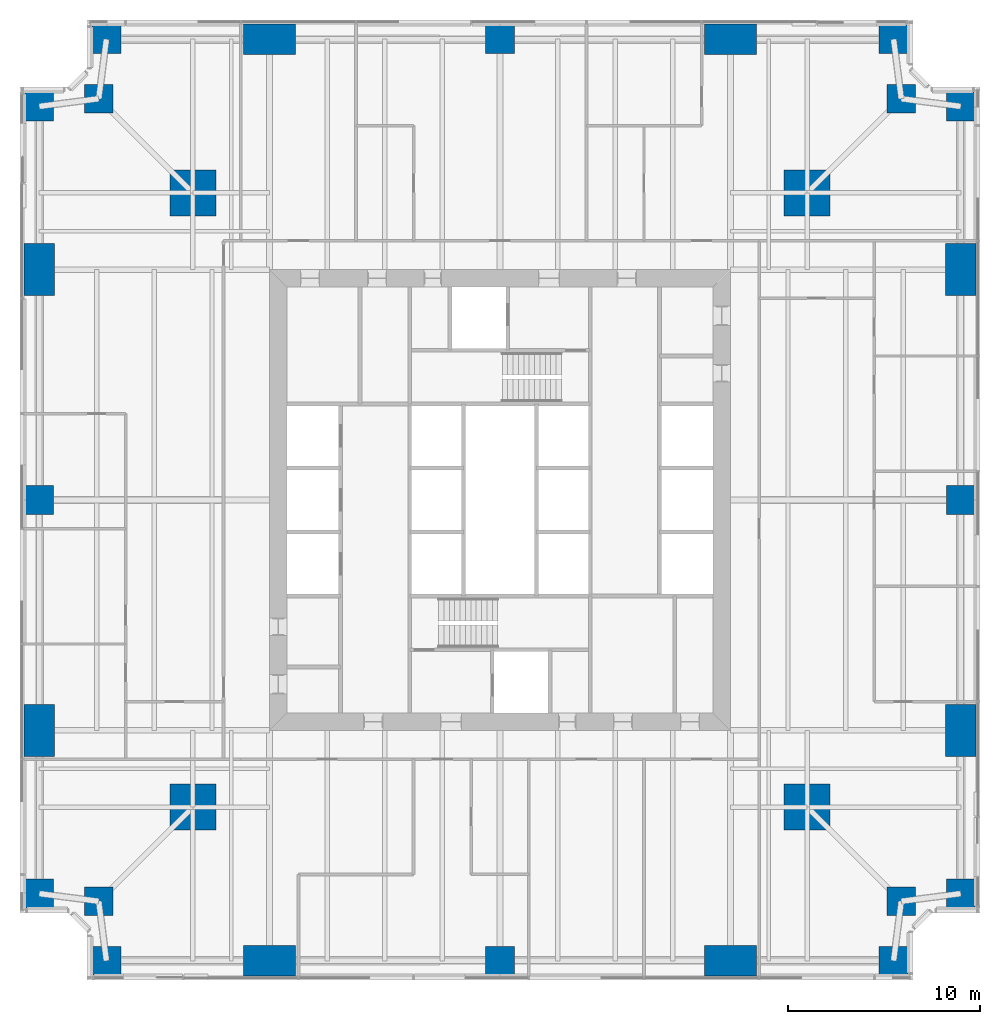
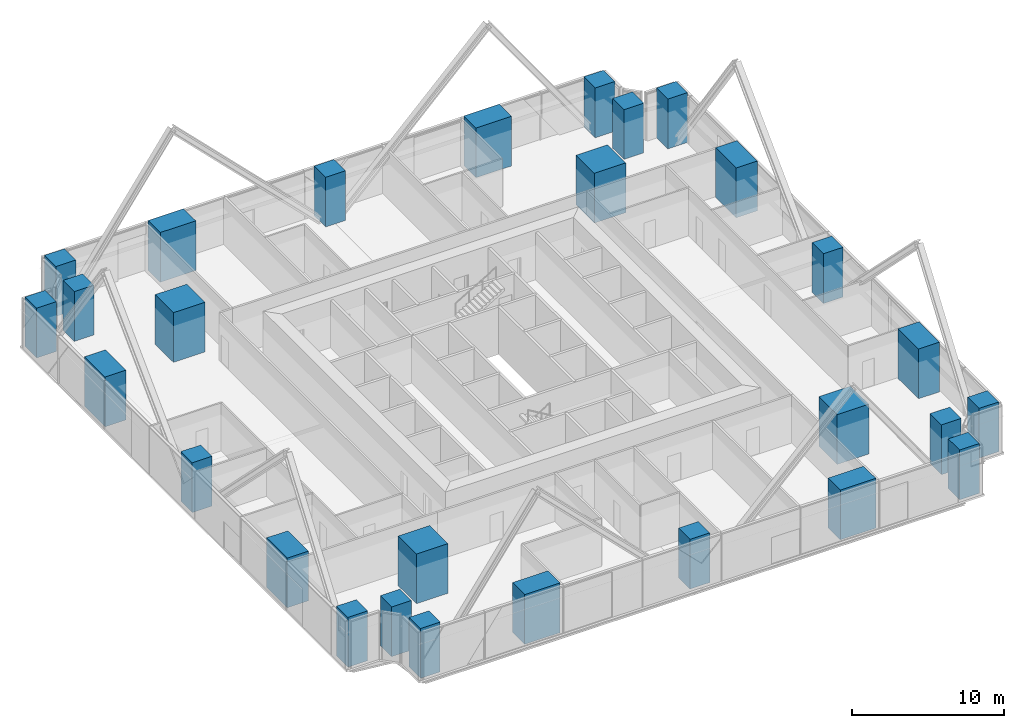
# One storey, part 1 of 13: 28 columns.
"""IFC4 building model written with IfcOpenShell, lengths in metres."""

from ifc_helpers import new_model, si_unit, direction, frame, origin, origin_2d, place, context, subcontext, project, spatial, rectangle, extrude, material, material_profile, profile_set, type_object, element, save


model = new_model("IFC4")

# Units and contexts
model_context = context("Model", 3, precision=1e-05, world=origin(), true_north=direction((0.0, 1.0)))
body_context = subcontext(model_context, "Body", "Model", "MODEL_VIEW")
ifc_project = project(units=[si_unit("LENGTHUNIT", "METRE"), si_unit("AREAUNIT", "SQUARE_METRE"), si_unit("VOLUMEUNIT", "CUBIC_METRE"), si_unit("PLANEANGLEUNIT", "RADIAN"), si_unit("MASSUNIT", "GRAM", prefix="KILO")], contexts=[model_context])

# Site, building, storey
site_placement = place(None, origin())
site = spatial("IfcSite", under=ifc_project, at=site_placement, CompositionType="ELEMENT")
building_placement = place(site_placement, origin())
building = spatial("IfcBuilding", under=site, at=building_placement, Name="Fenwick Lantern Interchange", CompositionType="ELEMENT")
storey_placement = place(building_placement, frame((0.0, 0.0, 43.0)))
storey = spatial("IfcBuildingStorey", under=building, at=storey_placement, Name="L09", CompositionType="ELEMENT", Elevation=43.0)

# Columns
ifc_material = material(Name="Concrete f'c 70 MPa", Category="concrete")
ifc_material_profile_1 = material_profile(ifc_material, rectangle(XDim=2.39990234375, YDim=2.39990234375, at=origin_2d()), Name="RC2400X2400")
ifc_profile_set_1 = profile_set([ifc_material_profile_1], Name="Concrete f'c 70 MPa")
column_type_1 = type_object("IfcColumnType", Name="MEGA COLUMN RC2400X2400", PredefinedType="COLUMN", material=ifc_profile_set_1)
for number, where, z_axis, x_axis, name in (
    (1, (9.0, 9.0, 0.0), (0.0, 0.0, 1.0), (1.0, 0.0, 0.0), "L09/M1"),
    (2, (41.0, 9.0, 0.0), (0.0, 0.0, 1.0), (1.0, 0.0, 0.0), "L09/M2"),
    (3, (41.0, 41.0, 0.0), (0.0, 0.0, 1.0), (1.0, 0.0, 0.0), "L09/M3"),
    (4, (9.0, 41.0, 0.0), (0.0, 0.0, 1.0), (1.0, 0.0, 0.0), "L09/M4"),
):
    element("IfcColumn", number, at=place(storey_placement, frame(where, z_axis=z_axis, x_axis=x_axis)), inside=storey, type_object=column_type_1, Name=name, PredefinedType="COLUMN", context=body_context, shape_type="SweptSolid", body=[
        extrude(rectangle(XDim=2.39990234375, YDim=2.39990234375, at=origin_2d()), origin(), (0.0, 0.0, 1.0), 4.0),
    ])
ifc_material_profile_2 = material_profile(ifc_material, rectangle(XDim=1.5, YDim=1.5, at=origin_2d()), Name="RC1500X1500")
ifc_profile_set_2 = profile_set([ifc_material_profile_2], Name="Concrete f'c 70 MPa")
column_type_2 = type_object("IfcColumnType", Name="PERIMETER COLUMN RC1500X1500", PredefinedType="COLUMN", material=ifc_profile_set_2)
for number, where, z_axis, x_axis, name in (
    (5, (4.5, 1.0, 0.0), (0.0, 0.0, 1.0), (1.0, 0.0, 0.0), "L09/CS1"),
    (6, (25.0, 1.0, 0.0), (0.0, 0.0, 1.0), (1.0, 0.0, 0.0), "L09/CS3"),
    (7, (45.5, 1.0, 0.0), (0.0, 0.0, 1.0), (1.0, 0.0, 0.0), "L09/CS5"),
    (8, (45.89990234375, 4.10009765625, 0.0), (0.0, 0.0, 1.0), (1.0, 0.0, 0.0), "L09/CSR"),
    (9, (49.0, 4.5, 0.0), (0.0, 0.0, 1.0), (1.0, 0.0, 0.0), "L09/CE1"),
    (10, (49.0, 25.0, 0.0), (0.0, 0.0, 1.0), (1.0, 0.0, 0.0), "L09/CE3"),
    (11, (49.0, 45.5, 0.0), (0.0, 0.0, 1.0), (1.0, 0.0, 0.0), "L09/CE5"),
    (12, (45.89990234375, 45.89990234375, 0.0), (0.0, 0.0, 1.0), (1.0, 0.0, 0.0), "L09/CER"),
    (13, (45.5, 49.0, 0.0), (0.0, 0.0, 1.0), (1.0, 0.0, 0.0), "L09/CN1"),
    (14, (25.0, 49.0, 0.0), (0.0, 0.0, 1.0), (1.0, 0.0, 0.0), "L09/CN3"),
    (15, (4.5, 49.0, 0.0), (0.0, 0.0, 1.0), (1.0, 0.0, 0.0), "L09/CN5"),
    (16, (4.10009765625, 45.89990234375, 0.0), (0.0, 0.0, 1.0), (1.0, 0.0, 0.0), "L09/CNR"),
    (17, (1.0, 45.5, 0.0), (0.0, 0.0, 1.0), (1.0, 0.0, 0.0), "L09/CW1"),
    (18, (1.0, 25.0, 0.0), (0.0, 0.0, 1.0), (1.0, 0.0, 0.0), "L09/CW3"),
    (19, (1.0, 4.5, 0.0), (0.0, 0.0, 1.0), (1.0, 0.0, 0.0), "L09/CW5"),
    (20, (4.10009765625, 4.10009765625, 0.0), (0.0, 0.0, 1.0), (1.0, 0.0, 0.0), "L09/CWR"),
):
    element("IfcColumn", number, at=place(storey_placement, frame(where, z_axis=z_axis, x_axis=x_axis)), inside=storey, type_object=column_type_2, Name=name, PredefinedType="COLUMN", context=body_context, shape_type="SweptSolid", body=[
        extrude(rectangle(XDim=1.5, YDim=1.5, at=origin_2d()), origin(), (0.0, 0.0, 1.0), 4.0),
    ])
ifc_material_profile_3 = material_profile(ifc_material, rectangle(XDim=1.60009765625, YDim=2.699951171875, at=origin_2d()), Name="RC1600X2700")
ifc_profile_set_3 = profile_set([ifc_material_profile_3], Name="Concrete f'c 70 MPa")
column_type_3 = type_object("IfcColumnType", Name="PERIMETER COLUMN RC1600X2700", PredefinedType="COLUMN", material=ifc_profile_set_3)
for number, where, z_axis, x_axis, name in (
    (21, (49.0, 13.0, 0.0), (0.0, 0.0, 1.0), (1.0, 0.0, 0.0), "L09/CE2"),
    (22, (49.0, 37.0, 0.0), (0.0, 0.0, 1.0), (1.0, 0.0, 0.0), "L09/CE4"),
    (23, (1.0, 37.0, 0.0), (0.0, 0.0, 1.0), (1.0, 0.0, 0.0), "L09/CW2"),
    (24, (1.0, 13.0, 0.0), (0.0, 0.0, 1.0), (1.0, 0.0, 0.0), "L09/CW4"),
):
    element("IfcColumn", number, at=place(storey_placement, frame(where, z_axis=z_axis, x_axis=x_axis)), inside=storey, type_object=column_type_3, Name=name, PredefinedType="COLUMN", context=body_context, shape_type="SweptSolid", body=[
        extrude(rectangle(XDim=1.60009765625, YDim=2.699951171875, at=origin_2d()), origin(), (0.0, 0.0, 1.0), 4.0),
    ])
ifc_material_profile_4 = material_profile(ifc_material, rectangle(XDim=2.699951171875, YDim=1.60009765625, at=origin_2d()), Name="RC2700X1600")
ifc_profile_set_4 = profile_set([ifc_material_profile_4], Name="Concrete f'c 70 MPa")
column_type_4 = type_object("IfcColumnType", Name="PERIMETER COLUMN RC2700X1600", PredefinedType="COLUMN", material=ifc_profile_set_4)
for number, where, z_axis, x_axis, name in (
    (25, (13.0, 1.0, 0.0), (0.0, 0.0, 1.0), (1.0, 0.0, 0.0), "L09/CS2"),
    (26, (37.0, 1.0, 0.0), (0.0, 0.0, 1.0), (1.0, 0.0, 0.0), "L09/CS4"),
    (27, (37.0, 49.0, 0.0), (0.0, 0.0, 1.0), (1.0, 0.0, 0.0), "L09/CN2"),
    (28, (13.0, 49.0, 0.0), (0.0, 0.0, 1.0), (1.0, 0.0, 0.0), "L09/CN4"),
):
    element("IfcColumn", number, at=place(storey_placement, frame(where, z_axis=z_axis, x_axis=x_axis)), inside=storey, type_object=column_type_4, Name=name, PredefinedType="COLUMN", context=body_context, shape_type="SweptSolid", body=[
        extrude(rectangle(XDim=2.699951171875, YDim=1.60009765625, at=origin_2d()), origin(), (0.0, 0.0, 1.0), 4.0),
    ])

save(model, "model.ifc")
